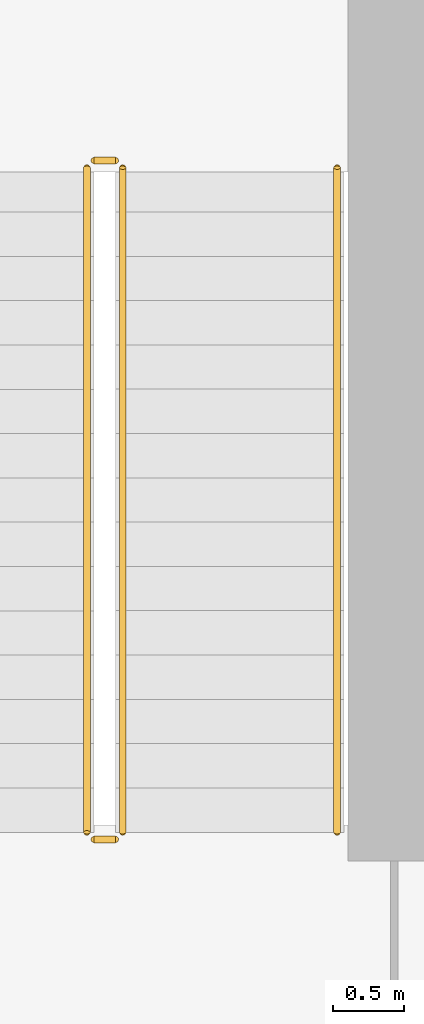
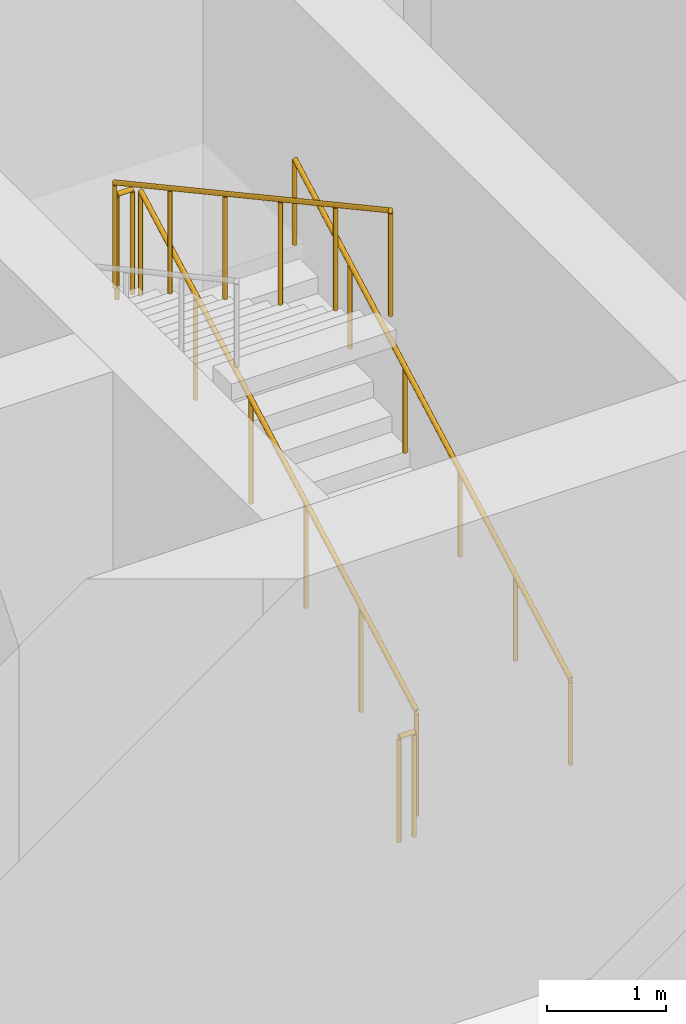
# One storey, part 26 of 30: 5 railings.
"""IFC4 building model written with IfcOpenShell, lengths in metres."""

from ifc_helpers import new_model, si_unit, direction, frame, origin, origin_2d, place, context, subcontext, project, spatial, circle, extrude, material, type_object, element, save


model = new_model("IFC4")

# Units and contexts
model_context = context("Model", 3, precision=1e-05, world=origin(), true_north=direction((0.0, 1.0)))
body_context = subcontext(model_context, "Body", "Model", "MODEL_VIEW")
ifc_project = project(units=[si_unit("LENGTHUNIT", "METRE"), si_unit("AREAUNIT", "SQUARE_METRE"), si_unit("VOLUMEUNIT", "CUBIC_METRE"), si_unit("PLANEANGLEUNIT", "RADIAN"), si_unit("MASSUNIT", "GRAM", prefix="KILO")], contexts=[model_context])

# Site, building, storey
site_placement = place(None, origin())
site = spatial("IfcSite", under=ifc_project, at=site_placement, CompositionType="ELEMENT")
building_placement = place(site_placement, origin())
building = spatial("IfcBuilding", under=site, at=building_placement, Name="Madar Terraces", CompositionType="ELEMENT")
storey_placement = place(building_placement, frame((0.0, 0.0, 53.89990234375)))
storey = spatial("IfcBuildingStorey", under=building, at=storey_placement, Name="L13", CompositionType="ELEMENT", Elevation=53.89990234375)

# Railings
ifc_material_1 = material(Name="Stainless steel railing", Category="steel")
railing_type_1 = type_object("IfcRailingType", Name="Stair guard 1100", PredefinedType="GUARDRAIL", material=ifc_material_1)
railing_1_placement = place(storey_placement, frame((41.449951171875, 17.60009765625, 0.1689453125)))
element("IfcRailing", 1, at=railing_1_placement, inside=storey, type_object=railing_type_1, Name="L13 ST3 stair guard 1", PredefinedType="GUARDRAIL", context=body_context, shape_type="SweptSolid", body=[
    extrude(circle(Radius=0.02392578125, at=origin_2d()), frame((0.0, 0.0, 1.076171875), z_axis=(0.0, 0.878297076953, 0.478115304728), x_axis=(-1.0, 0.0, 0.0)), (0.0, 0.0, 1.0), 5.294189453125),
    extrude(circle(Radius=0.02099609375, at=origin_2d()), origin(), (0.0, 0.0, 1.0), 1.052001953125),
    extrude(circle(Radius=0.02099609375, at=origin_2d()), frame((0.0, 0.929931640625, 0.50634765625)), (0.0, 0.0, 1.0), 1.052001953125),
    extrude(circle(Radius=0.02099609375, at=origin_2d()), frame((0.0, 1.85986328125, 1.012451171875)), (0.0, 0.0, 1.0), 1.052001953125),
    extrude(circle(Radius=0.02099609375, at=origin_2d()), frame((0.0, 2.7900390625, 1.518798828125)), (0.0, 0.0, 1.0), 1.052001953125),
    extrude(circle(Radius=0.02099609375, at=origin_2d()), frame((0.0, 3.719970703125, 2.02490234375)), (0.0, 0.0, 1.0), 1.052001953125),
    extrude(circle(Radius=0.02099609375, at=origin_2d()), frame((0.0, 4.64990234375, 2.53125)), (0.0, 0.0, 1.0), 1.052001953125),
])
railing_2_placement = place(storey_placement, frame((41.39990234375, 22.300048828125, 2.7001953125)))
element("IfcRailing", 2, at=railing_2_placement, inside=storey, type_object=railing_type_1, Name="L13 ST3 stair guard 2", PredefinedType="GUARDRAIL", context=body_context, shape_type="SweptSolid", body=[
    extrude(circle(Radius=0.02392578125, at=origin_2d()), frame((0.0, 0.0, 1.076171875), z_axis=(-1.0, 0.0, 0.0), x_axis=(0.0, -1.0, 0.0)), (0.0, 0.0, 1.0), 0.14990234375),
    extrude(circle(Radius=0.02099609375, at=origin_2d()), origin(), (0.0, 0.0, 1.0), 1.052001953125),
    extrude(circle(Radius=0.02099609375, at=origin_2d()), frame((-0.14990234375, 0.0, 0.0)), (0.0, 0.0, 1.0), 1.052001953125),
])
railing_3_placement = place(storey_placement, frame((41.199951171875, 22.25, 2.868896484375)))
element("IfcRailing", 3, at=railing_3_placement, inside=storey, type_object=railing_type_1, Name="L13 ST3 stair guard 3", PredefinedType="GUARDRAIL", context=body_context, shape_type="SweptSolid", body=[
    extrude(circle(Radius=0.02392578125, at=origin_2d()), frame((0.0, 0.0, 1.076171875), z_axis=(0.0, -0.878297076953, 0.478115304728), x_axis=(1.0, 0.0, 0.0)), (0.0, 0.0, 1.0), 5.294189453125),
    extrude(circle(Radius=0.02099609375, at=origin_2d()), origin(), (0.0, 0.0, 1.0), 1.052001953125),
    extrude(circle(Radius=0.02099609375, at=origin_2d()), frame((0.0, -0.929931640625, 0.50634765625)), (0.0, 0.0, 1.0), 1.052001953125),
    extrude(circle(Radius=0.02099609375, at=origin_2d()), frame((0.0, -1.85986328125, 1.012451171875)), (0.0, 0.0, 1.0), 1.052001953125),
    extrude(circle(Radius=0.02099609375, at=origin_2d()), frame((0.0, -2.7900390625, 1.518798828125)), (0.0, 0.0, 1.0), 1.052001953125),
    extrude(circle(Radius=0.02099609375, at=origin_2d()), frame((0.0, -3.719970703125, 2.02490234375)), (0.0, 0.0, 1.0), 1.052001953125),
    extrude(circle(Radius=0.02099609375, at=origin_2d()), frame((0.0, -4.64990234375, 2.53125)), (0.0, 0.0, 1.0), 1.052001953125),
])
railing_4_placement = place(storey_placement, frame((41.39990234375, 17.550048828125, 0.0)))
element("IfcRailing", 4, at=railing_4_placement, inside=storey, type_object=railing_type_1, Name="L13 ST3 stair guard 4", PredefinedType="GUARDRAIL", context=body_context, shape_type="SweptSolid", body=[
    extrude(circle(Radius=0.02392578125, at=origin_2d()), frame((0.0, 0.0, 1.076171875), z_axis=(-1.0, 0.0, 0.0), x_axis=(0.0, -1.0, 0.0)), (0.0, 0.0, 1.0), 0.14990234375),
    extrude(circle(Radius=0.02099609375, at=origin_2d()), origin(), (0.0, 0.0, 1.0), 1.052001953125),
    extrude(circle(Radius=0.02099609375, at=origin_2d()), frame((-0.14990234375, 0.0, 0.0)), (0.0, 0.0, 1.0), 1.052001953125),
])
ifc_material_2 = material(Name="Stainless steel railing", Category="steel")
railing_type_2 = type_object("IfcRailingType", Name="Stair handrail 900", PredefinedType="HANDRAIL", material=ifc_material_2)
railing_5_placement = place(storey_placement, frame((42.949951171875, 17.60009765625, 0.1689453125)))
element("IfcRailing", 5, at=railing_5_placement, inside=storey, type_object=railing_type_2, Name="L13 ST3 stair handrail 1", PredefinedType="HANDRAIL", context=body_context, shape_type="SweptSolid", body=[
    extrude(circle(Radius=0.02392578125, at=origin_2d()), frame((0.0, 0.0, 0.8759765625), z_axis=(0.0, 0.878297076953, 0.478115304728), x_axis=(-1.0, 0.0, 0.0)), (0.0, 0.0, 1.0), 5.294189453125),
    extrude(circle(Radius=0.02099609375, at=origin_2d()), origin(), (0.0, 0.0, 1.0), 0.851806640625),
    extrude(circle(Radius=0.02099609375, at=origin_2d()), frame((0.0, 0.929931640625, 0.50634765625)), (0.0, 0.0, 1.0), 0.851806640625),
    extrude(circle(Radius=0.02099609375, at=origin_2d()), frame((0.0, 1.85986328125, 1.012451171875)), (0.0, 0.0, 1.0), 0.851806640625),
    extrude(circle(Radius=0.02099609375, at=origin_2d()), frame((0.0, 2.7900390625, 1.518798828125)), (0.0, 0.0, 1.0), 0.851806640625),
    extrude(circle(Radius=0.02099609375, at=origin_2d()), frame((0.0, 3.719970703125, 2.02490234375)), (0.0, 0.0, 1.0), 0.851806640625),
    extrude(circle(Radius=0.02099609375, at=origin_2d()), frame((0.0, 4.64990234375, 2.53125)), (0.0, 0.0, 1.0), 0.851806640625),
])

save(model, "model.ifc")
